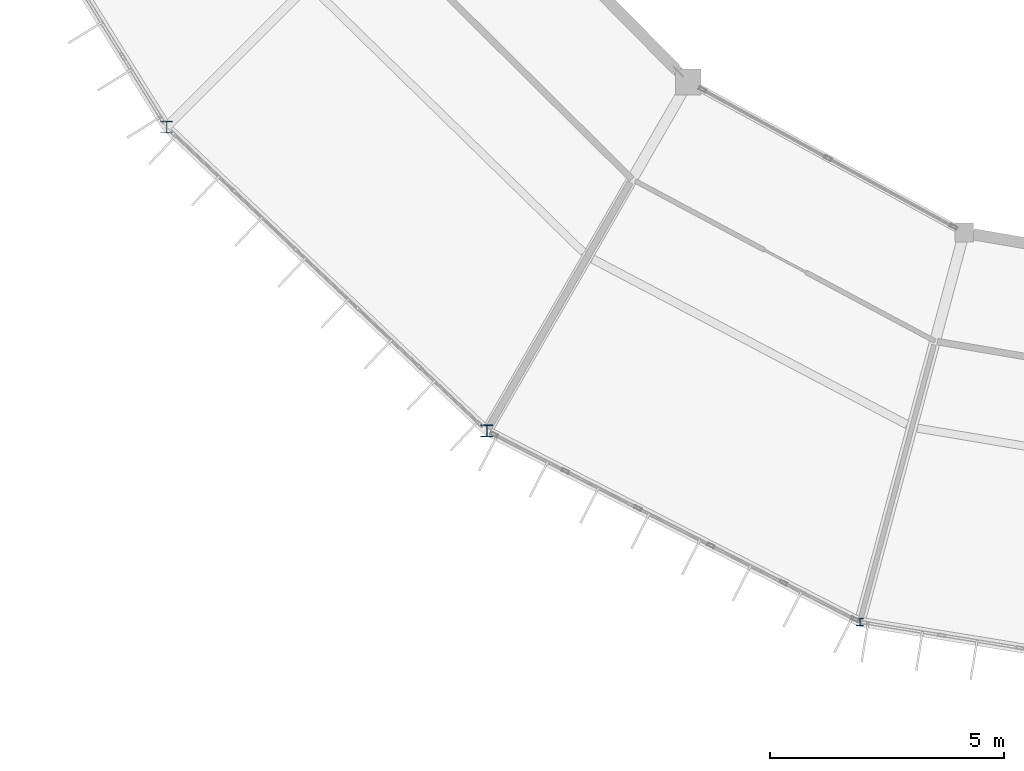
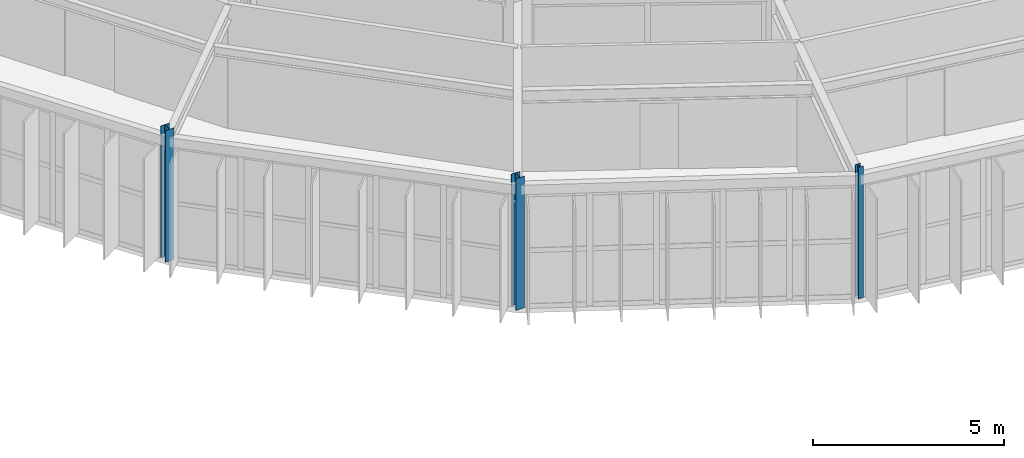
# One storey, part 2 of 157: 3 columns.
"""IFC4 building model written with IfcOpenShell, lengths in metres."""

from ifc_helpers import new_model, si_unit, direction, frame, origin, origin_2d, place, context, subcontext, project, spatial, i_section, extrude, material, material_profile, profile_set, type_object, element, save


model = new_model("IFC4")

# Units and contexts
model_context = context("Model", 3, precision=1e-05, world=origin(), true_north=direction((0.0, 1.0)))
body_context = subcontext(model_context, "Body", "Model", "MODEL_VIEW")
ifc_project = project(units=[si_unit("LENGTHUNIT", "METRE"), si_unit("AREAUNIT", "SQUARE_METRE"), si_unit("VOLUMEUNIT", "CUBIC_METRE"), si_unit("PLANEANGLEUNIT", "RADIAN"), si_unit("MASSUNIT", "GRAM", prefix="KILO")], contexts=[model_context])

# Site, building, storey
site_placement = place(None, origin())
site = spatial("IfcSite", under=ifc_project, at=site_placement, CompositionType="ELEMENT")
building_placement = place(site_placement, origin())
building = spatial("IfcBuilding", under=site, at=building_placement, Name="Karori Crest Natural Sciences Institute", CompositionType="ELEMENT")
storey_placement = place(building_placement, frame((0.0, 0.0, 13.300048828125)))
storey = spatial("IfcBuildingStorey", under=building, at=storey_placement, Name="L03", CompositionType="ELEMENT", Elevation=13.300048828125)

# Columns
ifc_material = material(Name="Structural steel AS/NZS 3679.1 Grade 350", Category="steel")
ifc_material_profile_1 = material_profile(ifc_material, i_section(OverallWidth=0.256103515625, OverallDepth=0.260009765625, WebThickness=0.010498046875, FlangeThickness=0.017333984375, FilletRadius=0.013916015625, at=origin_2d()), Name="250UC89.5")
ifc_profile_set_1 = profile_set([ifc_material_profile_1], Name="Structural steel AS/NZS 3679.1 Grade 350")
column_type_1 = type_object("IfcColumnType", Name="CT-06", PredefinedType="COLUMN", material=ifc_profile_set_1)
column_1_placement = place(storey_placement, frame((43.0654296875, 21.050048828125, 0.0), z_axis=(0.0, 0.0, 1.0), x_axis=(1.0, 0.0, 0.0)))
element("IfcColumn", 1, at=column_1_placement, inside=storey, type_object=column_type_1, Name="Column C-0259", PredefinedType="COLUMN", context=body_context, shape_type="SweptSolid", body=[
    extrude(i_section(OverallWidth=0.256103515625, OverallDepth=0.260009765625, WebThickness=0.010498046875, FlangeThickness=0.017333984375, FilletRadius=0.013916015625, at=origin_2d()), origin(), (0.0, 0.0, 1.0), 4.199951171875),
])
ifc_material_profile_2 = material_profile(ifc_material, i_section(OverallWidth=0.25390625, OverallDepth=0.25390625, WebThickness=0.008544921875, FlangeThickness=0.01416015625, FilletRadius=0.013916015625, at=origin_2d()), Name="250UC72.9")
ifc_profile_set_2 = profile_set([ifc_material_profile_2], Name="Structural steel AS/NZS 3679.1 Grade 350")
column_type_2 = type_object("IfcColumnType", Name="CT-07", PredefinedType="COLUMN", material=ifc_profile_set_2)
column_2_placement = place(storey_placement, frame((49.89990234375, 14.566162109375, 0.0), z_axis=(0.0, 0.0, 1.0), x_axis=(1.0, 0.0, 0.0)))
element("IfcColumn", 2, at=column_2_placement, inside=storey, type_object=column_type_2, Name="Column C-0273", PredefinedType="COLUMN", context=body_context, shape_type="SweptSolid", body=[
    extrude(i_section(OverallWidth=0.25390625, OverallDepth=0.25390625, WebThickness=0.008544921875, FlangeThickness=0.01416015625, FilletRadius=0.013916015625, at=origin_2d()), origin(), (0.0, 0.0, 1.0), 4.199951171875),
])
ifc_material_profile_3 = material_profile(ifc_material, i_section(OverallWidth=0.154052734375, OverallDepth=0.162109375, WebThickness=0.008056640625, FlangeThickness=0.011474609375, FilletRadius=0.009033203125, at=origin_2d()), Name="150UC37.2")
ifc_profile_set_3 = profile_set([ifc_material_profile_3], Name="Structural steel AS/NZS 3679.1 Grade 350")
column_type_3 = type_object("IfcColumnType", Name="CT-26", PredefinedType="COLUMN", material=ifc_profile_set_3)
column_3_placement = place(storey_placement, frame((57.85888671875, 10.490234375, 0.0), z_axis=(0.0, 0.0, 1.0), x_axis=(1.0, 0.0, 0.0)))
element("IfcColumn", 3, at=column_3_placement, inside=storey, type_object=column_type_3, Name="Column C-0289", PredefinedType="COLUMN", context=body_context, shape_type="SweptSolid", body=[
    extrude(i_section(OverallWidth=0.154052734375, OverallDepth=0.162109375, WebThickness=0.008056640625, FlangeThickness=0.011474609375, FilletRadius=0.009033203125, at=origin_2d()), origin(), (0.0, 0.0, 1.0), 4.199951171875),
])

save(model, "model.ifc")
